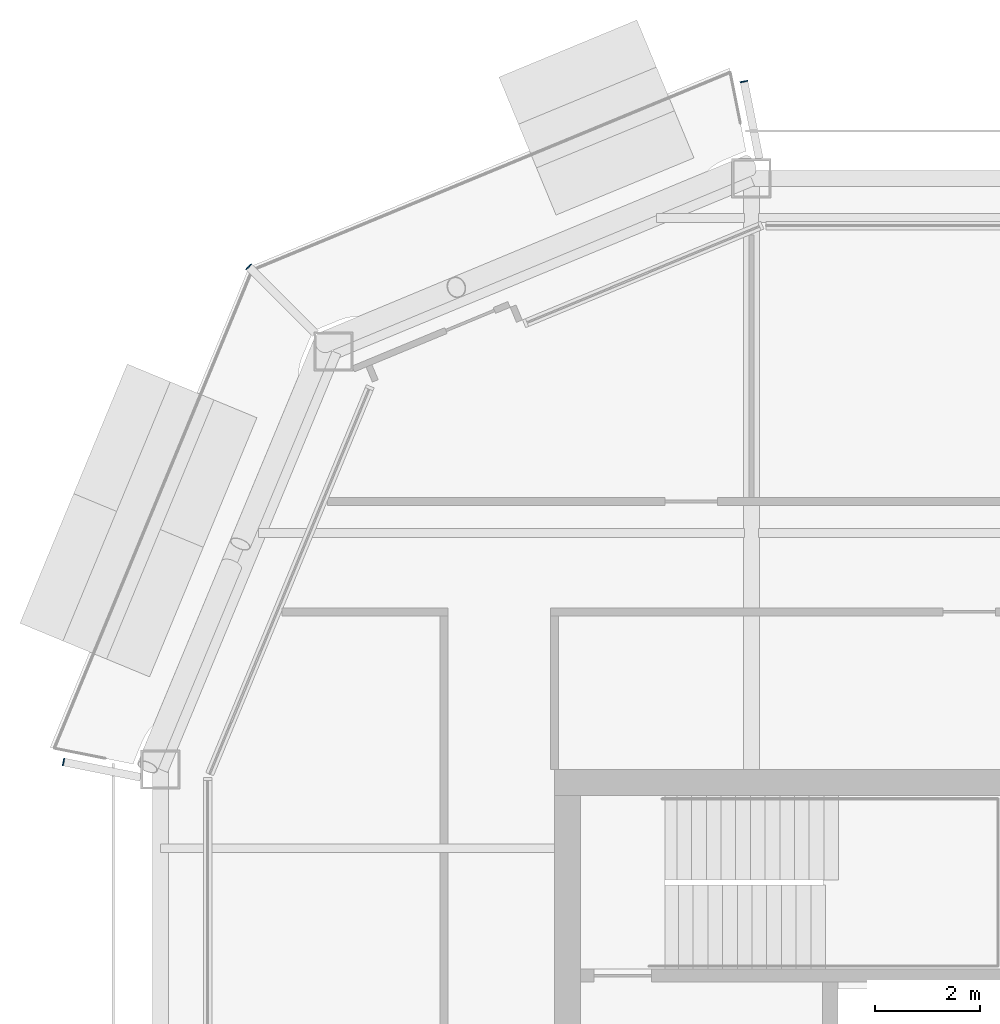
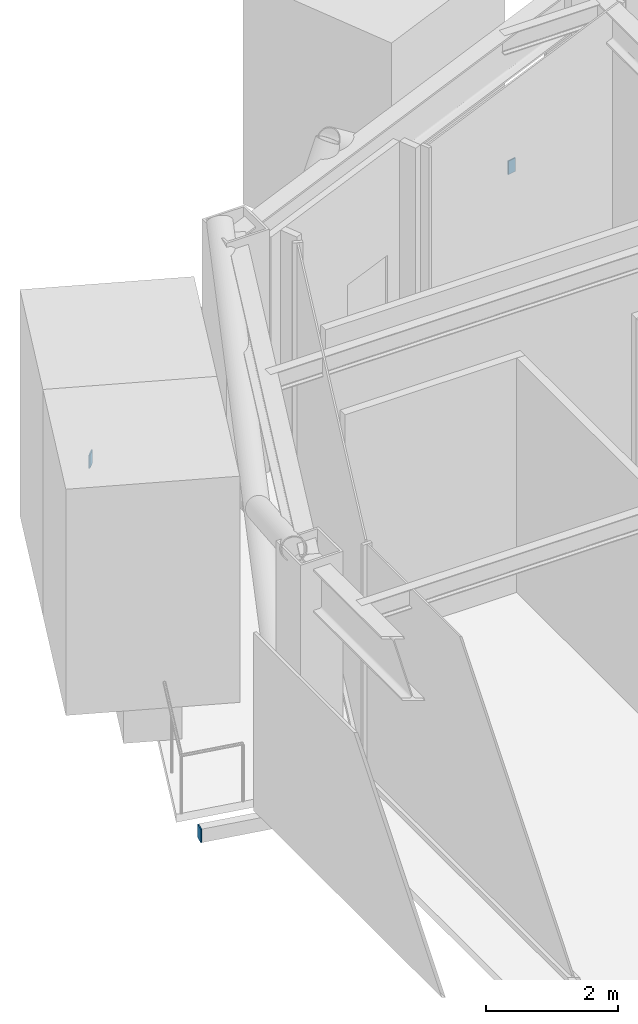
# One storey, part 15 of 21: 3 discrete accessories.
"""IFC4 building model written with IfcOpenShell, lengths in metres."""

from ifc_helpers import new_model, si_unit, direction, frame, origin, origin_2d, place, context, subcontext, project, spatial, rectangle, extrude, material, layer, layer_set, type_object, element, save


model = new_model("IFC4")

# Units and contexts
model_context = context("Model", 3, precision=1e-05, world=origin(), true_north=direction((0.0, 1.0)))
body_context = subcontext(model_context, "Body", "Model", "MODEL_VIEW")
ifc_project = project(units=[si_unit("LENGTHUNIT", "METRE"), si_unit("AREAUNIT", "SQUARE_METRE"), si_unit("VOLUMEUNIT", "CUBIC_METRE"), si_unit("PLANEANGLEUNIT", "RADIAN"), si_unit("MASSUNIT", "GRAM", prefix="KILO")], contexts=[model_context])

# Site, building, storey
site_placement = place(None, origin())
site = spatial("IfcSite", under=ifc_project, at=site_placement, CompositionType="ELEMENT")
building_placement = place(site_placement, origin())
building = spatial("IfcBuilding", under=site, at=building_placement, Name="Siwar Civic Tower", CompositionType="ELEMENT")
storey_placement = place(building_placement, frame((0.0, 0.0, 294.199951171875)))
storey = spatial("IfcBuildingStorey", under=building, at=storey_placement, Name="L63", CompositionType="ELEMENT", Elevation=294.199951171875)

# Discrete accessories
ifc_material = material(Name="Steel S355", Category="steel")
ifc_layer = layer(ifc_material, 0.02001953125)
ifc_layer_set = layer_set([ifc_layer], Name="Steel S355")
discrete_accessory_type = type_object("IfcDiscreteAccessoryType", Name="STR-END-CAP", PredefinedType="USERDEFINED", material=ifc_layer_set)
for number, where, z_axis, x_axis, name in (
    (1, (-13.642578125, 26.5947265625, -0.39990234375), (0.0, 0.0, 1.0), (-0.19509032217, 0.980785280373, 0.0), "End cap plate Balcony cantilever beam NW 1"),
    (2, (-23.0693359375, 23.0693359375, -0.39990234375), (0.0, 0.0, 1.0), (-0.707106781187, 0.707106781187, 0.0), "End cap plate Balcony cantilever beam NW 2"),
    (3, (-26.5947265625, 13.642578125, -0.39990234375), (0.0, 0.0, 1.0), (-0.980785280373, 0.19509032217, 0.0), "End cap plate Balcony cantilever beam NW 3"),
):
    element("IfcDiscreteAccessory", number, at=place(storey_placement, frame(where, z_axis=z_axis, x_axis=x_axis)), inside=storey, type_object=discrete_accessory_type, Name=name, ObjectType="END CAP PLATE", PredefinedType="USERDEFINED", context=body_context, shape_type="SweptSolid", body=[
        extrude(rectangle(XDim=0.02001953125, YDim=0.14990234375, at=origin_2d()), origin(), (0.0, 0.0, 1.0), 0.25),
    ])

save(model, "model.ifc")
